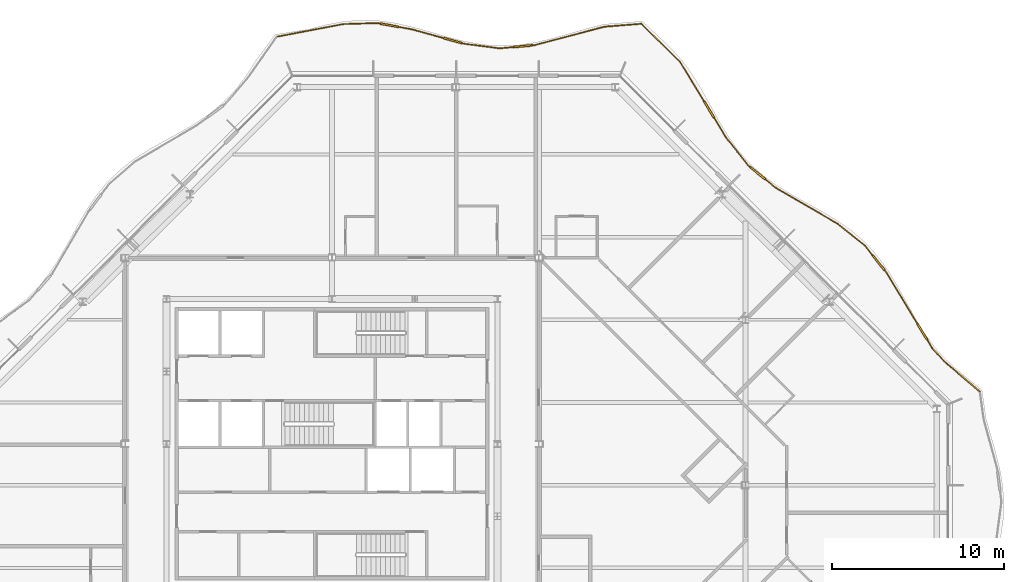
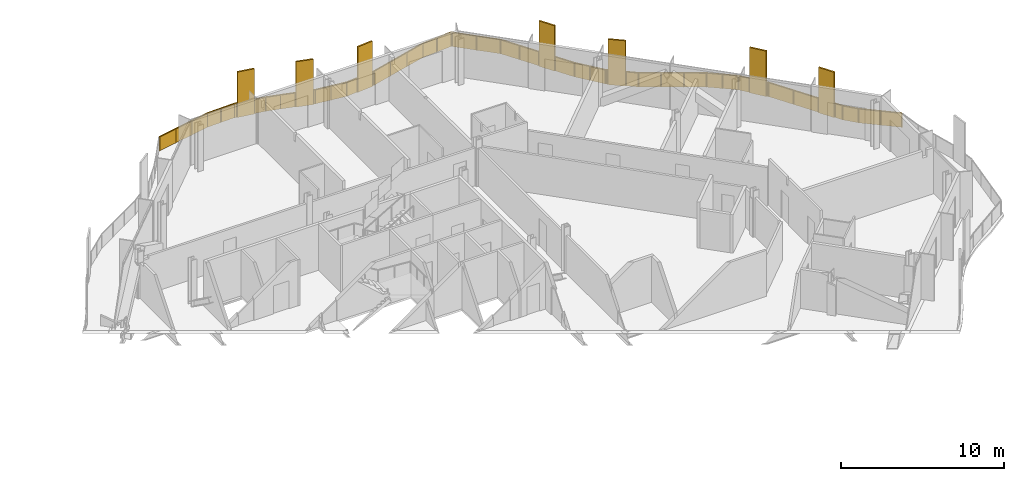
# One storey, part 17 of 17: 2 railings.
"""IFC4 building model written with IfcOpenShell, lengths in metres."""

from ifc_helpers import new_model, si_unit, direction, frame, origin, origin_2d, place, context, subcontext, project, spatial, polyline, rectangle, outline, extrude, material, type_object, element, save


model = new_model("IFC4")

# Units and contexts
model_context = context("Model", 3, precision=1e-05, world=origin(), true_north=direction((0.0, 1.0)))
body_context = subcontext(model_context, "Body", "Model", "MODEL_VIEW")
ifc_project = project(units=[si_unit("LENGTHUNIT", "METRE"), si_unit("AREAUNIT", "SQUARE_METRE"), si_unit("VOLUMEUNIT", "CUBIC_METRE"), si_unit("PLANEANGLEUNIT", "RADIAN"), si_unit("MASSUNIT", "GRAM", prefix="KILO")], contexts=[model_context])

# Site, building, storey
site_placement = place(None, origin())
site = spatial("IfcSite", under=ifc_project, at=site_placement, CompositionType="ELEMENT")
building_placement = place(site_placement, origin())
building = spatial("IfcBuilding", under=site, at=building_placement, Name="Cairn Pilgrim Tower", CompositionType="ELEMENT")
storey_placement = place(building_placement, frame((0.0, 0.0, 253.800048828125)))
storey = spatial("IfcBuildingStorey", under=building, at=storey_placement, Name="L65", CompositionType="ELEMENT", Elevation=253.800048828125)

# Railings
ifc_material = material(Name="Bronze anodised aluminium rail, posts and fin screens with laminated glass infill", Category="aluminium")
railing_type = type_object("IfcRailingType", Name="BALCONY GUARD WITH FIN SCREENS", PredefinedType="GUARDRAIL", material=ifc_material)
railing_1_placement = place(storey_placement, frame((44.7890625, 5.438720703125, 0.0)))
element("IfcRailing", 1, at=railing_1_placement, inside=storey, type_object=railing_type, Name="Balcony guard BGF-4 with fin screens", PredefinedType="GUARDRAIL", context=body_context, shape_type="SweptSolid", body=[
    extrude(rectangle(XDim=0.050048828125, YDim=0.050048828125, at=origin_2d()), frame((0.0, 0.0, 1.0751953125), z_axis=(-0.763874827569, 0.64536443023, 0.0), x_axis=(-0.64536443023, -0.763874827569, 0.0)), (0.0, 0.0, 1.0), 2.6904296875),
    extrude(rectangle(XDim=0.050048828125, YDim=0.050048828125, at=origin_2d()), frame((-2.05517578125, 1.736328125, 1.0751953125), z_axis=(-0.668467622937, 0.743741243367, 0.0), x_axis=(-0.743741243367, -0.668467622937, 0.0)), (0.0, 0.0, 1.0), 1.031494140625),
    extrude(rectangle(XDim=1.10009765625, YDim=0.110107421875, at=origin_2d()), frame((-3.325927734375, 3.459716796875, 0.0), z_axis=(0.0, 0.0, 1.0), x_axis=(-0.519442965435, 0.85450512325, 0.0)), (0.0, 0.0, 1.0), 3.39990234375),
    extrude(rectangle(XDim=0.050048828125, YDim=0.050048828125, at=origin_2d()), frame((-2.74462890625, 2.50341796875, 1.0751953125), z_axis=(-0.519442965435, 0.85450512325, 0.0), x_axis=(-0.85450512325, -0.519442965435, 0.0)), (0.0, 0.0, 1.0), 0.569091796875),
    extrude(rectangle(XDim=0.050048828125, YDim=0.050048828125, at=origin_2d()), frame((-3.611572265625, 3.9296875, 1.0751953125), z_axis=(-0.519442965435, 0.85450512325, 0.0), x_axis=(-0.85450512325, -0.519442965435, 0.0)), (0.0, 0.0, 1.0), 3.5107421875),
    extrude(rectangle(XDim=1.10009765625, YDim=0.110107421875, at=origin_2d()), frame((-5.87353515625, 7.475341796875, 0.0), z_axis=(0.0, 0.0, 1.0), x_axis=(-0.62608064163, 0.779758315234, 0.0)), (0.0, 0.0, 1.0), 3.39990234375),
    extrude(rectangle(XDim=0.050048828125, YDim=0.050048828125, at=origin_2d()), frame((-5.435302734375, 6.9296875, 1.0751953125), z_axis=(-0.62608064163, 0.779758315234, 0.0), x_axis=(-0.779758315234, -0.62608064163, 0.0)), (0.0, 0.0, 1.0), 0.14990234375),
    extrude(rectangle(XDim=0.050048828125, YDim=0.050048828125, at=origin_2d()), frame((-6.2177734375, 7.904296875, 1.0751953125), z_axis=(-0.62608064163, 0.779758315234, 0.0), x_axis=(-0.779758315234, -0.62608064163, 0.0)), (0.0, 0.0, 1.0), 0.7470703125),
    extrude(rectangle(XDim=0.050048828125, YDim=0.050048828125, at=origin_2d()), frame((-6.685546875, 8.48681640625, 1.0751953125), z_axis=(-0.78098812795, 0.624545870214, 0.0), x_axis=(-0.624545870214, -0.78098812795, 0.0)), (0.0, 0.0, 1.0), 1.99609375),
    extrude(rectangle(XDim=0.050048828125, YDim=0.050048828125, at=origin_2d()), frame((-8.244384765625, 9.7333984375, 1.0751953125), z_axis=(-0.864548085394, 0.502550105006, 0.0), x_axis=(-0.502550105006, -0.864548085394, 0.0)), (0.0, 0.0, 1.0), 4.161865234375),
    extrude(rectangle(XDim=1.10009765625, YDim=0.110107421875, at=origin_2d()), frame((-12.8916015625, 12.67529296875, 0.0), z_axis=(0.0, 0.0, 1.0), x_axis=(-0.776903706688, 0.629619433098, 0.0)), (0.0, 0.0, 1.0), 3.39990234375),
    extrude(rectangle(XDim=0.050048828125, YDim=0.050048828125, at=origin_2d()), frame((-11.842529296875, 11.824951171875, 1.0751953125), z_axis=(-0.776903706688, 0.629619433098, 0.0), x_axis=(-0.629619433098, -0.776903706688, 0.0)), (0.0, 0.0, 1.0), 0.800537109375),
    extrude(rectangle(XDim=0.050048828125, YDim=0.050048828125, at=origin_2d()), frame((-13.319091796875, 13.021484375, 1.0751953125), z_axis=(-0.776903706688, 0.629619433098, 0.0), x_axis=(-0.629619433098, -0.776903706688, 0.0)), (0.0, 0.0, 1.0), 0.150146484375),
    extrude(rectangle(XDim=0.050048828125, YDim=0.050048828125, at=origin_2d()), frame((-13.435546875, 13.115966796875, 1.0751953125), z_axis=(-0.620898097192, 0.783891288957, 0.0), x_axis=(-0.783891288957, -0.620898097192, 0.0)), (0.0, 0.0, 1.0), 2.050537109375),
    extrude(rectangle(XDim=1.10009765625, YDim=0.110107421875, at=origin_2d()), frame((-15.70703125, 16.36083984375, 0.0), z_axis=(0.0, 0.0, 1.0), x_axis=(-0.520537665397, 0.85383870778, 0.0)), (0.0, 0.0, 1.0), 3.39990234375),
    extrude(rectangle(XDim=0.050048828125, YDim=0.050048828125, at=origin_2d()), frame((-14.708740234375, 14.723388671875, 1.0751953125), z_axis=(-0.520537665397, 0.85383870778, 0.0), x_axis=(-0.85383870778, -0.520537665397, 0.0)), (0.0, 0.0, 1.0), 1.367919921875),
    extrude(rectangle(XDim=0.050048828125, YDim=0.050048828125, at=origin_2d()), frame((-15.993408203125, 16.83056640625, 1.0751953125), z_axis=(-0.520537665397, 0.85383870778, 0.0), x_axis=(-0.85383870778, -0.520537665397, 0.0)), (0.0, 0.0, 1.0), 2.697021484375),
    extrude(rectangle(XDim=0.050048828125, YDim=0.050048828125, at=origin_2d()), frame((-17.397216796875, 19.13330078125, 1.0751953125), z_axis=(-0.712046289599, 0.70213252415, 0.0), x_axis=(-0.70213252415, -0.712046289599, 0.0)), (0.0, 0.0, 1.0), 3.078369140625),
    extrude(rectangle(XDim=0.050048828125, YDim=0.050048828125, at=origin_2d()), origin(), (0.0, 0.0, 1.0), 1.050048828125),
    extrude(rectangle(XDim=0.050048828125, YDim=0.050048828125, at=origin_2d()), frame((-1.027587890625, 0.8681640625, 0.0)), (0.0, 0.0, 1.0), 1.050048828125),
    extrude(rectangle(XDim=0.050048828125, YDim=0.050048828125, at=origin_2d()), frame((-2.05517578125, 1.736328125, 0.0)), (0.0, 0.0, 1.0), 1.050048828125),
    extrude(rectangle(XDim=0.050048828125, YDim=0.050048828125, at=origin_2d()), frame((-2.74462890625, 2.50341796875, 0.0)), (0.0, 0.0, 1.0), 1.050048828125),
    extrude(rectangle(XDim=0.050048828125, YDim=0.050048828125, at=origin_2d()), frame((-3.02734375, 2.96826171875, 0.0)), (0.0, 0.0, 1.0), 1.050048828125),
    extrude(rectangle(XDim=0.050048828125, YDim=0.050048828125, at=origin_2d()), frame((-3.624755859375, 3.951171875, 0.0)), (0.0, 0.0, 1.0), 1.050048828125),
    extrude(rectangle(XDim=0.050048828125, YDim=0.050048828125, at=origin_2d()), frame((-4.530029296875, 5.4404296875, 0.0)), (0.0, 0.0, 1.0), 1.050048828125),
    extrude(rectangle(XDim=0.050048828125, YDim=0.050048828125, at=origin_2d()), frame((-5.435302734375, 6.9296875, 0.0)), (0.0, 0.0, 1.0), 1.050048828125),
    extrude(rectangle(XDim=0.050048828125, YDim=0.050048828125, at=origin_2d()), frame((-5.513427734375, 7.027099609375, 0.0)), (0.0, 0.0, 1.0), 1.050048828125),
    extrude(rectangle(XDim=0.050048828125, YDim=0.050048828125, at=origin_2d()), frame((-6.2333984375, 7.923828125, 0.0)), (0.0, 0.0, 1.0), 1.050048828125),
    extrude(rectangle(XDim=0.050048828125, YDim=0.050048828125, at=origin_2d()), frame((-6.685546875, 8.48681640625, 0.0)), (0.0, 0.0, 1.0), 1.050048828125),
    extrude(rectangle(XDim=0.050048828125, YDim=0.050048828125, at=origin_2d()), frame((-7.46484375, 9.110107421875, 0.0)), (0.0, 0.0, 1.0), 1.050048828125),
    extrude(rectangle(XDim=0.050048828125, YDim=0.050048828125, at=origin_2d()), frame((-8.244384765625, 9.7333984375, 0.0)), (0.0, 0.0, 1.0), 1.050048828125),
    extrude(rectangle(XDim=0.050048828125, YDim=0.050048828125, at=origin_2d()), frame((-9.44384765625, 10.4306640625, 0.0)), (0.0, 0.0, 1.0), 1.050048828125),
    extrude(rectangle(XDim=0.050048828125, YDim=0.050048828125, at=origin_2d()), frame((-10.64306640625, 11.127685546875, 0.0)), (0.0, 0.0, 1.0), 1.050048828125),
    extrude(rectangle(XDim=0.050048828125, YDim=0.050048828125, at=origin_2d()), frame((-11.842529296875, 11.824951171875, 0.0)), (0.0, 0.0, 1.0), 1.050048828125),
    extrude(rectangle(XDim=0.050048828125, YDim=0.050048828125, at=origin_2d()), frame((-12.44482421875, 12.313232421875, 0.0)), (0.0, 0.0, 1.0), 1.050048828125),
    extrude(rectangle(XDim=0.050048828125, YDim=0.050048828125, at=origin_2d()), frame((-13.33837890625, 13.037353515625, 0.0)), (0.0, 0.0, 1.0), 1.050048828125),
    extrude(rectangle(XDim=0.050048828125, YDim=0.050048828125, at=origin_2d()), frame((-13.435546875, 13.115966796875, 0.0)), (0.0, 0.0, 1.0), 1.050048828125),
    extrude(rectangle(XDim=0.050048828125, YDim=0.050048828125, at=origin_2d()), frame((-14.072265625, 13.919677734375, 0.0)), (0.0, 0.0, 1.0), 1.050048828125),
    extrude(rectangle(XDim=0.050048828125, YDim=0.050048828125, at=origin_2d()), frame((-14.708740234375, 14.723388671875, 0.0)), (0.0, 0.0, 1.0), 1.050048828125),
    extrude(rectangle(XDim=0.050048828125, YDim=0.050048828125, at=origin_2d()), frame((-15.40771484375, 15.869873046875, 0.0)), (0.0, 0.0, 1.0), 1.050048828125),
    extrude(rectangle(XDim=0.050048828125, YDim=0.050048828125, at=origin_2d()), frame((-16.00634765625, 16.85205078125, 0.0)), (0.0, 0.0, 1.0), 1.050048828125),
    extrude(rectangle(XDim=0.050048828125, YDim=0.050048828125, at=origin_2d()), frame((-16.701904296875, 17.99267578125, 0.0)), (0.0, 0.0, 1.0), 1.050048828125),
    extrude(rectangle(XDim=0.050048828125, YDim=0.050048828125, at=origin_2d()), frame((-17.397216796875, 19.13330078125, 0.0)), (0.0, 0.0, 1.0), 1.050048828125),
    extrude(rectangle(XDim=0.050048828125, YDim=0.050048828125, at=origin_2d()), frame((-18.4931640625, 20.2138671875, 0.0)), (0.0, 0.0, 1.0), 1.050048828125),
    extrude(rectangle(XDim=0.050048828125, YDim=0.050048828125, at=origin_2d()), frame((-19.589111328125, 21.294677734375, 0.0)), (0.0, 0.0, 1.0), 1.050048828125),
    extrude(outline(polyline([(0.02490234375, 0.0), (1.3203125, 0.0), (1.3203125, 1.050048828125), (0.02490234375, 1.050048828125), (0.02490234375, 0.0)])), frame((-0.00390625, -0.004638671875, 0.0), z_axis=(0.64536443023, 0.763874827569, 0.0), x_axis=(-0.763874827569, 0.64536443023, 0.0)), (0.0, 0.0, 1.0), 0.011962890625),
    extrude(outline(polyline([(0.02490234375, 0.0), (1.3203125, 0.0), (1.3203125, 1.050048828125), (0.02490234375, 1.050048828125), (0.02490234375, 0.0)])), frame((-1.031494140625, 0.863525390625, 0.0), z_axis=(0.64536443023, 0.763874827569, 0.0), x_axis=(-0.763874827569, 0.64536443023, 0.0)), (0.0, 0.0, 1.0), 0.011962890625),
    extrude(outline(polyline([(0.02490234375, 0.0), (1.00634765625, 0.0), (1.00634765625, 1.050048828125), (0.02490234375, 1.050048828125), (0.02490234375, 0.0)])), frame((-2.0595703125, 1.732421875, 0.0), z_axis=(0.743741243367, 0.668467622937, 0.0), x_axis=(-0.668467622937, 0.743741243367, 0.0)), (0.0, 0.0, 1.0), 0.011962890625),
    extrude(outline(polyline([(0.02490234375, 0.0), (0.51904296875, 0.0), (0.51904296875, 1.050048828125), (0.02490234375, 1.050048828125), (0.02490234375, 0.0)])), frame((-2.749755859375, 2.500244140625, 0.0), z_axis=(0.85450512325, 0.519442965435, 0.0), x_axis=(-0.519442965435, 0.85450512325, 0.0)), (0.0, 0.0, 1.0), 0.011962890625),
    extrude(outline(polyline([(0.02490234375, 0.0), (1.7177734375, 0.0), (1.7177734375, 1.050048828125), (0.02490234375, 1.050048828125), (0.02490234375, 0.0)])), frame((-3.6298828125, 3.947998046875, 0.0), z_axis=(0.85450512325, 0.519442965435, 0.0), x_axis=(-0.519442965435, 0.85450512325, 0.0)), (0.0, 0.0, 1.0), 0.011962890625),
    extrude(outline(polyline([(0.02490234375, 0.0), (1.7177734375, 0.0), (1.7177734375, 1.050048828125), (0.02490234375, 1.050048828125), (0.02490234375, 0.0)])), frame((-4.53515625, 5.437255859375, 0.0), z_axis=(0.85450512325, 0.519442965435, 0.0), x_axis=(-0.519442965435, 0.85450512325, 0.0)), (0.0, 0.0, 1.0), 0.011962890625),
    extrude(outline(polyline([(0.02490234375, 0.0), (0.099853515625, 0.0), (0.099853515625, 1.050048828125), (0.02490234375, 1.050048828125), (0.02490234375, 0.0)])), frame((-5.43994140625, 6.926025390625, 0.0), z_axis=(0.779758315234, 0.62608064163, 0.0), x_axis=(-0.62608064163, 0.779758315234, 0.0)), (0.0, 0.0, 1.0), 0.011962890625),
    extrude(outline(polyline([(0.02490234375, 0.0), (0.697021484375, 0.0), (0.697021484375, 1.050048828125), (0.02490234375, 1.050048828125), (0.02490234375, 0.0)])), frame((-6.238037109375, 7.919921875, 0.0), z_axis=(0.779758315234, 0.62608064163, 0.0), x_axis=(-0.62608064163, 0.779758315234, 0.0)), (0.0, 0.0, 1.0), 0.011962890625),
    extrude(outline(polyline([(0.02490234375, 0.0), (0.972900390625, 0.0), (0.972900390625, 1.050048828125), (0.02490234375, 1.050048828125), (0.02490234375, 0.0)])), frame((-6.689208984375, 8.482177734375, 0.0), z_axis=(0.624545870214, 0.78098812795, 0.0), x_axis=(-0.78098812795, 0.624545870214, 0.0)), (0.0, 0.0, 1.0), 0.011962890625),
    extrude(outline(polyline([(0.02490234375, 0.0), (0.972900390625, 0.0), (0.972900390625, 1.050048828125), (0.02490234375, 1.050048828125), (0.02490234375, 0.0)])), frame((-7.46875, 9.10546875, 0.0), z_axis=(0.624545870214, 0.78098812795, 0.0), x_axis=(-0.78098812795, 0.624545870214, 0.0)), (0.0, 0.0, 1.0), 0.011962890625),
    extrude(outline(polyline([(0.02490234375, 0.0), (1.3623046875, 0.0), (1.3623046875, 1.050048828125), (0.02490234375, 1.050048828125), (0.02490234375, 0.0)])), frame((-8.247314453125, 9.728271484375, 0.0), z_axis=(0.502550105006, 0.864548085394, 0.0), x_axis=(-0.864548085394, 0.502550105006, 0.0)), (0.0, 0.0, 1.0), 0.011962890625),
    extrude(outline(polyline([(0.02490234375, 0.0), (1.3623046875, 0.0), (1.3623046875, 1.050048828125), (0.02490234375, 1.050048828125), (0.02490234375, 0.0)])), frame((-9.44677734375, 10.42529296875, 0.0), z_axis=(0.502550105006, 0.864548085394, 0.0), x_axis=(-0.864548085394, 0.502550105006, 0.0)), (0.0, 0.0, 1.0), 0.011962890625),
    extrude(outline(polyline([(0.02490234375, 0.0), (1.3623046875, 0.0), (1.3623046875, 1.050048828125), (0.02490234375, 1.050048828125), (0.02490234375, 0.0)])), frame((-10.646240234375, 11.12255859375, 0.0), z_axis=(0.502550105006, 0.864548085394, 0.0), x_axis=(-0.864548085394, 0.502550105006, 0.0)), (0.0, 0.0, 1.0), 0.011962890625),
    extrude(outline(polyline([(0.02490234375, 0.0), (0.75048828125, 0.0), (0.75048828125, 1.050048828125), (0.02490234375, 1.050048828125), (0.02490234375, 0.0)])), frame((-11.84619140625, 11.8203125, 0.0), z_axis=(0.629619433098, 0.776903706688, 0.0), x_axis=(-0.776903706688, 0.629619433098, 0.0)), (0.0, 0.0, 1.0), 0.011962890625),
    extrude(outline(polyline([(0.02490234375, 0.0), (0.10009765625, 0.0), (0.10009765625, 1.050048828125), (0.02490234375, 1.050048828125), (0.02490234375, 0.0)])), frame((-13.34228515625, 13.03271484375, 0.0), z_axis=(0.629619433098, 0.776903706688, 0.0), x_axis=(-0.776903706688, 0.629619433098, 0.0)), (0.0, 0.0, 1.0), 0.011962890625),
    extrude(outline(polyline([(0.02490234375, 0.0), (1.000244140625, 0.0), (1.000244140625, 1.050048828125), (0.02490234375, 1.050048828125), (0.02490234375, 0.0)])), frame((-13.440185546875, 13.1123046875, 0.0), z_axis=(0.783891288957, 0.620898097192, 0.0), x_axis=(-0.620898097192, 0.783891288957, 0.0)), (0.0, 0.0, 1.0), 0.011962890625),
    extrude(outline(polyline([(0.02490234375, 0.0), (1.000244140625, 0.0), (1.000244140625, 1.050048828125), (0.02490234375, 1.050048828125), (0.02490234375, 0.0)])), frame((-14.076904296875, 13.916015625, 0.0), z_axis=(0.783891288957, 0.620898097192, 0.0), x_axis=(-0.620898097192, 0.783891288957, 0.0)), (0.0, 0.0, 1.0), 0.011962890625),
    extrude(outline(polyline([(0.02490234375, 0.0), (1.31787109375, 0.0), (1.31787109375, 1.050048828125), (0.02490234375, 1.050048828125), (0.02490234375, 0.0)])), frame((-14.7138671875, 14.72021484375, 0.0), z_axis=(0.85383870778, 0.520537665397, 0.0), x_axis=(-0.520537665397, 0.85383870778, 0.0)), (0.0, 0.0, 1.0), 0.011962890625),
    extrude(outline(polyline([(0.02490234375, 0.0), (1.31103515625, 0.0), (1.31103515625, 1.050048828125), (0.02490234375, 1.050048828125), (0.02490234375, 0.0)])), frame((-16.011474609375, 16.848876953125, 0.0), z_axis=(0.85383870778, 0.520537665397, 0.0), x_axis=(-0.520537665397, 0.85383870778, 0.0)), (0.0, 0.0, 1.0), 0.011962890625),
    extrude(outline(polyline([(0.02490234375, 0.0), (1.31103515625, 0.0), (1.31103515625, 1.050048828125), (0.02490234375, 1.050048828125), (0.02490234375, 0.0)])), frame((-16.70703125, 17.989501953125, 0.0), z_axis=(0.85383870778, 0.520537665397, 0.0), x_axis=(-0.520537665397, 0.85383870778, 0.0)), (0.0, 0.0, 1.0), 0.011962890625),
    extrude(outline(polyline([(0.02490234375, 0.0), (1.51416015625, 0.0), (1.51416015625, 1.050048828125), (0.02490234375, 1.050048828125), (0.02490234375, 0.0)])), frame((-17.4013671875, 19.129150390625, 0.0), z_axis=(0.70213252415, 0.712046289599, 0.0), x_axis=(-0.712046289599, 0.70213252415, 0.0)), (0.0, 0.0, 1.0), 0.011962890625),
    extrude(outline(polyline([(0.02490234375, 0.0), (1.51416015625, 0.0), (1.51416015625, 1.050048828125), (0.02490234375, 1.050048828125), (0.02490234375, 0.0)])), frame((-18.497314453125, 20.209716796875, 0.0), z_axis=(0.70213252415, 0.712046289599, 0.0), x_axis=(-0.712046289599, 0.70213252415, 0.0)), (0.0, 0.0, 1.0), 0.011962890625),
])
railing_2_placement = place(storey_placement, frame((25.1572265625, 26.775390625, 0.0)))
element("IfcRailing", 2, at=railing_2_placement, inside=storey, type_object=railing_type, Name="Balcony guard BGF-5 with fin screens", PredefinedType="GUARDRAIL", context=body_context, shape_type="SweptSolid", body=[
    extrude(rectangle(XDim=0.050048828125, YDim=0.050048828125, at=origin_2d()), frame((0.0, 0.0, 1.0751953125), z_axis=(-0.996932297744, -0.078268727569, 0.0), x_axis=(0.078268727569, -0.996932297744, 0.0)), (0.0, 0.0, 1.0), 2.149169921875),
    extrude(rectangle(XDim=0.050048828125, YDim=0.050048828125, at=origin_2d()), frame((-2.142578125, -0.168212890625, 1.0751953125), z_axis=(-0.96682666378, -0.25543336157, 0.0), x_axis=(0.25543336157, -0.96682666378, 0.0)), (0.0, 0.0, 1.0), 4.1796875),
    extrude(rectangle(XDim=1.10009765625, YDim=0.110107421875, at=origin_2d()), frame((-6.880615234375, -1.300048828125, 0.0), z_axis=(0.0, 0.0, 1.0), x_axis=(-0.995800343741, -0.091551490457, 0.0)), (0.0, 0.0, 1.0), 3.39990234375),
    extrude(rectangle(XDim=0.050048828125, YDim=0.050048828125, at=origin_2d()), frame((-6.18359375, -1.23583984375, 1.0751953125), z_axis=(-0.995800343741, -0.091551490457, 0.0), x_axis=(0.091551490457, -0.995800343741, 0.0)), (0.0, 0.0, 1.0), 0.150146484375),
    extrude(rectangle(XDim=0.050048828125, YDim=0.050048828125, at=origin_2d()), frame((-7.428466796875, -1.350341796875, 1.0751953125), z_axis=(-0.995800343741, -0.091551490457, 0.0), x_axis=(0.091551490457, -0.995800343741, 0.0)), (0.0, 0.0, 1.0), 0.80859375),
    extrude(rectangle(XDim=0.050048828125, YDim=0.050048828125, at=origin_2d()), frame((-8.233642578125, -1.42431640625, 1.0751953125), z_axis=(-0.991754617536, 0.128151389368, 0.0), x_axis=(-0.128151389368, -0.991754617536, 0.0)), (0.0, 0.0, 1.0), 2.065185546875),
    extrude(rectangle(XDim=1.10009765625, YDim=0.110107421875, at=origin_2d()), frame((-10.95654296875, -0.9736328125, 0.0), z_axis=(0.0, 0.0, 1.0), x_axis=(-0.964022772634, 0.26581966414, 0.0)), (0.0, 0.0, 1.0), 3.39990234375),
    extrude(rectangle(XDim=0.050048828125, YDim=0.050048828125, at=origin_2d()), frame((-10.28173828125, -1.15966796875, 1.0751953125), z_axis=(-0.964022772634, 0.26581966414, 0.0), x_axis=(-0.26581966414, -0.964022772634, 0.0)), (0.0, 0.0, 1.0), 0.14990234375),
    extrude(rectangle(XDim=0.050048828125, YDim=0.050048828125, at=origin_2d()), frame((-11.48681640625, -0.827392578125, 1.0751953125), z_axis=(-0.964022772634, 0.26581966414, 0.0), x_axis=(-0.26581966414, -0.964022772634, 0.0)), (0.0, 0.0, 1.0), 1.8984375),
    extrude(rectangle(XDim=1.10009765625, YDim=0.110107421875, at=origin_2d()), frame((-14.62744140625, -0.08349609375, 0.0), z_axis=(0.0, 0.0, 1.0), x_axis=(-0.983737000946, 0.179614901858, 0.0)), (0.0, 0.0, 1.0), 3.39990234375),
    extrude(rectangle(XDim=0.050048828125, YDim=0.050048828125, at=origin_2d()), frame((-13.31689453125, -0.32275390625, 1.0751953125), z_axis=(-0.983737000946, 0.179614901858, 0.0), x_axis=(-0.179614901858, -0.983737000946, 0.0)), (0.0, 0.0, 1.0), 0.7822265625),
    extrude(rectangle(XDim=0.050048828125, YDim=0.050048828125, at=origin_2d()), frame((-15.16845703125, 0.015380859375, 1.0751953125), z_axis=(-0.983737000946, 0.179614901858, 0.0), x_axis=(-0.179614901858, -0.983737000946, 0.0)), (0.0, 0.0, 1.0), 0.14990234375),
    extrude(rectangle(XDim=0.050048828125, YDim=0.050048828125, at=origin_2d()), frame((-15.31591796875, 0.042236328125, 1.0751953125), z_axis=(-0.999561062846, -0.029625692248, 0.0), x_axis=(0.029625692248, -0.999561062846, 0.0)), (0.0, 0.0, 1.0), 1.994384765625),
    extrude(rectangle(XDim=0.050048828125, YDim=0.050048828125, at=origin_2d()), frame((-17.309326171875, -0.016845703125, 1.0751953125), z_axis=(-0.982335248452, -0.187129526395, 0.0), x_axis=(0.187129526395, -0.982335248452, 0.0)), (0.0, 0.0, 1.0), 3.864501953125),
    extrude(rectangle(XDim=0.050048828125, YDim=0.050048828125, at=origin_2d()), origin(), (0.0, 0.0, 1.0), 1.050048828125),
    extrude(rectangle(XDim=0.050048828125, YDim=0.050048828125, at=origin_2d()), frame((-1.0712890625, -0.083984375, 0.0)), (0.0, 0.0, 1.0), 1.050048828125),
    extrude(rectangle(XDim=0.050048828125, YDim=0.050048828125, at=origin_2d()), frame((-2.142578125, -0.168212890625, 0.0)), (0.0, 0.0, 1.0), 1.050048828125),
    extrude(rectangle(XDim=0.050048828125, YDim=0.050048828125, at=origin_2d()), frame((-3.489501953125, -0.524169921875, 0.0)), (0.0, 0.0, 1.0), 1.050048828125),
    extrude(rectangle(XDim=0.050048828125, YDim=0.050048828125, at=origin_2d()), frame((-4.836669921875, -0.8798828125, 0.0)), (0.0, 0.0, 1.0), 1.050048828125),
    extrude(rectangle(XDim=0.050048828125, YDim=0.050048828125, at=origin_2d()), frame((-6.18359375, -1.23583984375, 0.0)), (0.0, 0.0, 1.0), 1.050048828125),
    extrude(rectangle(XDim=0.050048828125, YDim=0.050048828125, at=origin_2d()), frame((-6.30810546875, -1.247314453125, 0.0)), (0.0, 0.0, 1.0), 1.050048828125),
    extrude(rectangle(XDim=0.050048828125, YDim=0.050048828125, at=origin_2d()), frame((-7.453369140625, -1.3525390625, 0.0)), (0.0, 0.0, 1.0), 1.050048828125),
    extrude(rectangle(XDim=0.050048828125, YDim=0.050048828125, at=origin_2d()), frame((-8.233642578125, -1.42431640625, 0.0)), (0.0, 0.0, 1.0), 1.050048828125),
    extrude(rectangle(XDim=0.050048828125, YDim=0.050048828125, at=origin_2d()), frame((-9.2578125, -1.2919921875, 0.0)), (0.0, 0.0, 1.0), 1.050048828125),
    extrude(rectangle(XDim=0.050048828125, YDim=0.050048828125, at=origin_2d()), frame((-10.28173828125, -1.15966796875, 0.0)), (0.0, 0.0, 1.0), 1.050048828125),
    extrude(rectangle(XDim=0.050048828125, YDim=0.050048828125, at=origin_2d()), frame((-10.402099609375, -1.12646484375, 0.0)), (0.0, 0.0, 1.0), 1.050048828125),
    extrude(rectangle(XDim=0.050048828125, YDim=0.050048828125, at=origin_2d()), frame((-11.5107421875, -0.82080078125, 0.0)), (0.0, 0.0, 1.0), 1.050048828125),
    extrude(rectangle(XDim=0.050048828125, YDim=0.050048828125, at=origin_2d()), frame((-12.413818359375, -0.57177734375, 0.0)), (0.0, 0.0, 1.0), 1.050048828125),
    extrude(rectangle(XDim=0.050048828125, YDim=0.050048828125, at=origin_2d()), frame((-13.31689453125, -0.32275390625, 0.0)), (0.0, 0.0, 1.0), 1.050048828125),
    extrude(rectangle(XDim=0.050048828125, YDim=0.050048828125, at=origin_2d()), frame((-14.061767578125, -0.186767578125, 0.0)), (0.0, 0.0, 1.0), 1.050048828125),
    extrude(rectangle(XDim=0.050048828125, YDim=0.050048828125, at=origin_2d()), frame((-15.193115234375, 0.019775390625, 0.0)), (0.0, 0.0, 1.0), 1.050048828125),
    extrude(rectangle(XDim=0.050048828125, YDim=0.050048828125, at=origin_2d()), frame((-15.31591796875, 0.042236328125, 0.0)), (0.0, 0.0, 1.0), 1.050048828125),
    extrude(rectangle(XDim=0.050048828125, YDim=0.050048828125, at=origin_2d()), frame((-16.3125, 0.0126953125, 0.0)), (0.0, 0.0, 1.0), 1.050048828125),
    extrude(rectangle(XDim=0.050048828125, YDim=0.050048828125, at=origin_2d()), frame((-17.309326171875, -0.016845703125, 0.0)), (0.0, 0.0, 1.0), 1.050048828125),
    extrude(rectangle(XDim=0.050048828125, YDim=0.050048828125, at=origin_2d()), frame((-18.57470703125, -0.2578125, 0.0)), (0.0, 0.0, 1.0), 1.050048828125),
    extrude(rectangle(XDim=0.050048828125, YDim=0.050048828125, at=origin_2d()), frame((-19.840087890625, -0.4990234375, 0.0)), (0.0, 0.0, 1.0), 1.050048828125),
    extrude(rectangle(XDim=0.050048828125, YDim=0.050048828125, at=origin_2d()), frame((-21.10546875, -0.739990234375, 0.0)), (0.0, 0.0, 1.0), 1.050048828125),
    extrude(outline(polyline([(0.02490234375, 0.0), (1.049560546875, 0.0), (1.049560546875, 1.050048828125), (0.02490234375, 1.050048828125), (0.02490234375, 0.0)])), frame((0.00048828125, -0.005859375, 0.0), z_axis=(-0.078268727569, 0.996932297744, 0.0), x_axis=(-0.996932297744, -0.078268727569, 0.0)), (0.0, 0.0, 1.0), 0.011962890625),
    extrude(outline(polyline([(0.02490234375, 0.0), (1.049560546875, 0.0), (1.049560546875, 1.050048828125), (0.02490234375, 1.050048828125), (0.02490234375, 0.0)])), frame((-1.07080078125, -0.090087890625, 0.0), z_axis=(-0.078268727569, 0.996932297744, 0.0), x_axis=(-0.996932297744, -0.078268727569, 0.0)), (0.0, 0.0, 1.0), 0.011962890625),
    extrude(outline(polyline([(0.02490234375, 0.0), (1.3681640625, 0.0), (1.3681640625, 1.050048828125), (0.02490234375, 1.050048828125), (0.02490234375, 0.0)])), frame((-2.14111328125, -0.174072265625, 0.0), z_axis=(-0.25543336157, 0.96682666378, 0.0), x_axis=(-0.96682666378, -0.25543336157, 0.0)), (0.0, 0.0, 1.0), 0.011962890625),
    extrude(outline(polyline([(0.02490234375, 0.0), (1.3681640625, 0.0), (1.3681640625, 1.050048828125), (0.02490234375, 1.050048828125), (0.02490234375, 0.0)])), frame((-3.488037109375, -0.52978515625, 0.0), z_axis=(-0.25543336157, 0.96682666378, 0.0), x_axis=(-0.96682666378, -0.25543336157, 0.0)), (0.0, 0.0, 1.0), 0.011962890625),
    extrude(outline(polyline([(0.02490234375, 0.0), (1.3681640625, 0.0), (1.3681640625, 1.050048828125), (0.02490234375, 1.050048828125), (0.02490234375, 0.0)])), frame((-4.8349609375, -0.8857421875, 0.0), z_axis=(-0.25543336157, 0.96682666378, 0.0), x_axis=(-0.96682666378, -0.25543336157, 0.0)), (0.0, 0.0, 1.0), 0.011962890625),
    extrude(outline(polyline([(0.02490234375, 0.0), (0.10009765625, 0.0), (0.10009765625, 1.050048828125), (0.02490234375, 1.050048828125), (0.02490234375, 0.0)])), frame((-6.18310546875, -1.24169921875, 0.0), z_axis=(-0.091551490457, 0.995800343741, 0.0), x_axis=(-0.995800343741, -0.091551490457, 0.0)), (0.0, 0.0, 1.0), 0.011962890625),
    extrude(outline(polyline([(0.02490234375, 0.0), (0.758544921875, 0.0), (0.758544921875, 1.050048828125), (0.02490234375, 1.050048828125), (0.02490234375, 0.0)])), frame((-7.452880859375, -1.358642578125, 0.0), z_axis=(-0.091551490457, 0.995800343741, 0.0), x_axis=(-0.995800343741, -0.091551490457, 0.0)), (0.0, 0.0, 1.0), 0.011962890625),
    extrude(outline(polyline([(0.02490234375, 0.0), (1.007568359375, 0.0), (1.007568359375, 1.050048828125), (0.02490234375, 1.050048828125), (0.02490234375, 0.0)])), frame((-8.234375, -1.43017578125, 0.0), z_axis=(0.128151389368, 0.991754617536, 0.0), x_axis=(-0.991754617536, 0.128151389368, 0.0)), (0.0, 0.0, 1.0), 0.011962890625),
    extrude(outline(polyline([(0.02490234375, 0.0), (1.007568359375, 0.0), (1.007568359375, 1.050048828125), (0.02490234375, 1.050048828125), (0.02490234375, 0.0)])), frame((-9.258544921875, -1.2978515625, 0.0), z_axis=(0.128151389368, 0.991754617536, 0.0), x_axis=(-0.991754617536, 0.128151389368, 0.0)), (0.0, 0.0, 1.0), 0.011962890625),
    extrude(outline(polyline([(0.02490234375, 0.0), (0.099853515625, 0.0), (0.099853515625, 1.050048828125), (0.02490234375, 1.050048828125), (0.02490234375, 0.0)])), frame((-10.283447265625, -1.16552734375, 0.0), z_axis=(0.26581966414, 0.964022772634, 0.0), x_axis=(-0.964022772634, 0.26581966414, 0.0)), (0.0, 0.0, 1.0), 0.011962890625),
    extrude(outline(polyline([(0.02490234375, 0.0), (0.91162109375, 0.0), (0.91162109375, 1.050048828125), (0.02490234375, 1.050048828125), (0.02490234375, 0.0)])), frame((-11.512451171875, -0.826416015625, 0.0), z_axis=(0.26581966414, 0.964022772634, 0.0), x_axis=(-0.964022772634, 0.26581966414, 0.0)), (0.0, 0.0, 1.0), 0.011962890625),
    extrude(outline(polyline([(0.02490234375, 0.0), (0.91162109375, 0.0), (0.91162109375, 1.050048828125), (0.02490234375, 1.050048828125), (0.02490234375, 0.0)])), frame((-12.41552734375, -0.57763671875, 0.0), z_axis=(0.26581966414, 0.964022772634, 0.0), x_axis=(-0.964022772634, 0.26581966414, 0.0)), (0.0, 0.0, 1.0), 0.011962890625),
    extrude(outline(polyline([(0.02490234375, 0.0), (0.732177734375, 0.0), (0.732177734375, 1.050048828125), (0.02490234375, 1.050048828125), (0.02490234375, 0.0)])), frame((-13.31787109375, -0.32861328125, 0.0), z_axis=(0.179614901858, 0.983737000946, 0.0), x_axis=(-0.983737000946, 0.179614901858, 0.0)), (0.0, 0.0, 1.0), 0.011962890625),
    extrude(outline(polyline([(0.02490234375, 0.0), (0.099853515625, 0.0), (0.099853515625, 1.050048828125), (0.02490234375, 1.050048828125), (0.02490234375, 0.0)])), frame((-15.194091796875, 0.013916015625, 0.0), z_axis=(0.179614901858, 0.983737000946, 0.0), x_axis=(-0.983737000946, 0.179614901858, 0.0)), (0.0, 0.0, 1.0), 0.011962890625),
    extrude(outline(polyline([(0.02490234375, 0.0), (0.97216796875, 0.0), (0.97216796875, 1.050048828125), (0.02490234375, 1.050048828125), (0.02490234375, 0.0)])), frame((-15.315673828125, 0.036376953125, 0.0), z_axis=(-0.029625692248, 0.999561062846, 0.0), x_axis=(-0.999561062846, -0.029625692248, 0.0)), (0.0, 0.0, 1.0), 0.011962890625),
    extrude(outline(polyline([(0.02490234375, 0.0), (0.97216796875, 0.0), (0.97216796875, 1.050048828125), (0.02490234375, 1.050048828125), (0.02490234375, 0.0)])), frame((-16.3125, 0.0068359375, 0.0), z_axis=(-0.029625692248, 0.999561062846, 0.0), x_axis=(-0.999561062846, -0.029625692248, 0.0)), (0.0, 0.0, 1.0), 0.011962890625),
    extrude(outline(polyline([(0.02490234375, 0.0), (1.26318359375, 0.0), (1.26318359375, 1.050048828125), (0.02490234375, 1.050048828125), (0.02490234375, 0.0)])), frame((-17.30810546875, -0.022705078125, 0.0), z_axis=(-0.187129526395, 0.982335248452, 0.0), x_axis=(-0.982335248452, -0.187129526395, 0.0)), (0.0, 0.0, 1.0), 0.011962890625),
    extrude(outline(polyline([(0.02490234375, 0.0), (1.26318359375, 0.0), (1.26318359375, 1.050048828125), (0.02490234375, 1.050048828125), (0.02490234375, 0.0)])), frame((-18.573486328125, -0.263671875, 0.0), z_axis=(-0.187129526395, 0.982335248452, 0.0), x_axis=(-0.982335248452, -0.187129526395, 0.0)), (0.0, 0.0, 1.0), 0.011962890625),
    extrude(outline(polyline([(0.02490234375, 0.0), (1.26318359375, 0.0), (1.26318359375, 1.050048828125), (0.02490234375, 1.050048828125), (0.02490234375, 0.0)])), frame((-19.8388671875, -0.5048828125, 0.0), z_axis=(-0.187129526395, 0.982335248452, 0.0), x_axis=(-0.982335248452, -0.187129526395, 0.0)), (0.0, 0.0, 1.0), 0.011962890625),
])

save(model, "model.ifc")
